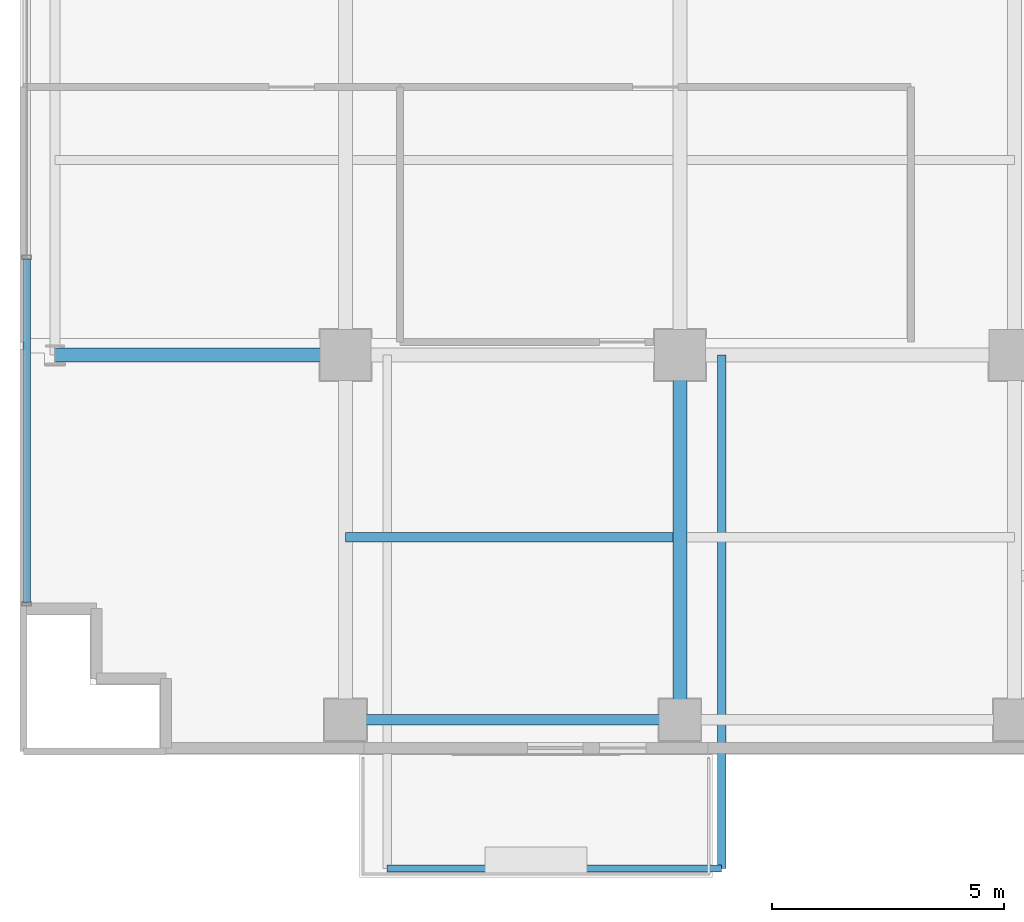
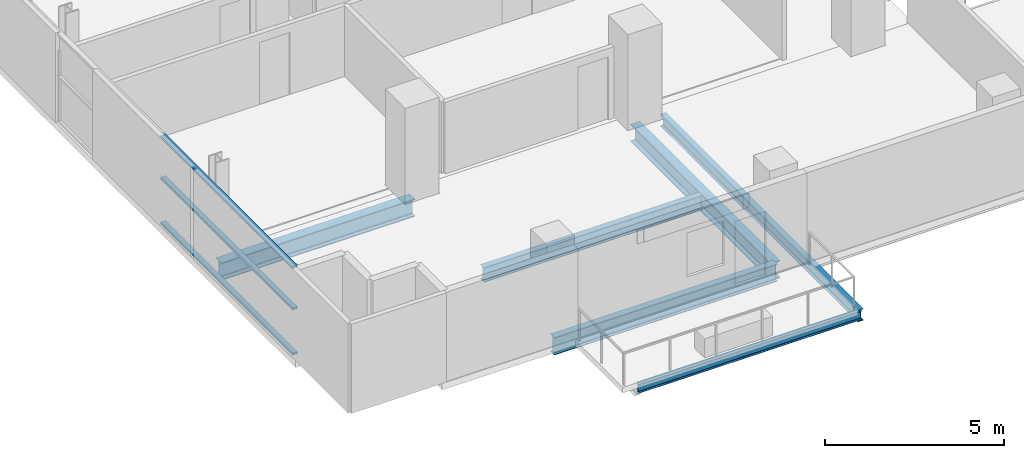
# One storey, part 3 of 27: 6 beams, 3 members, 1 element without a shape of its own.
"""IFC4 building model written with IfcOpenShell, lengths in metres."""

from ifc_helpers import new_model, si_unit, direction, frame, origin, origin_2d, place, context, subcontext, project, spatial, hollow_rectangle, i_section, extrude, source, transform, mapped, material, layer, layer_set, material_profile, profile_set, type_object, element, aggregate, save


model = new_model("IFC4")

# Units and contexts
model_context = context("Model", 3, precision=1e-05, world=origin(), true_north=direction((0.0, 1.0)))
body_context = subcontext(model_context, "Body", "Model", "MODEL_VIEW")
ifc_project = project(units=[si_unit("LENGTHUNIT", "METRE"), si_unit("AREAUNIT", "SQUARE_METRE"), si_unit("VOLUMEUNIT", "CUBIC_METRE"), si_unit("PLANEANGLEUNIT", "RADIAN"), si_unit("MASSUNIT", "GRAM", prefix="KILO")], contexts=[model_context])

# Site, building, storey
site_placement = place(None, origin())
site = spatial("IfcSite", under=ifc_project, at=site_placement, CompositionType="ELEMENT")
building_placement = place(site_placement, origin())
building = spatial("IfcBuilding", under=site, at=building_placement, Name="Zarnakvel Exchange Tower", CompositionType="ELEMENT")
storey_placement = place(building_placement, frame((0.0, 0.0, 76.89990234375)))
storey = spatial("IfcBuildingStorey", under=building, at=storey_placement, Name="L21", CompositionType="ELEMENT", Elevation=76.89990234375)

# Beams
ifc_material_1 = material(Name="Steel S355", Category="steel")
ifc_material_profile_1 = material_profile(ifc_material_1, i_section(OverallWidth=0.199951171875, OverallDepth=0.5, WebThickness=0.01025390625, FlangeThickness=0.01611328125, FilletRadius=0.02099609375, at=origin_2d()))
ifc_profile_set_1 = profile_set([ifc_material_profile_1], Name="Steel S355")
beam_type_1 = type_object("IfcBeamType", Name="B-04", PredefinedType="JOIST", material=ifc_profile_set_1)
beam_1_placement = place(storey_placement, frame((-21.60009765625, -13.52490234375, -0.474853515625), z_axis=(1.0, 0.0, 0.0), x_axis=(0.0, 1.0, 0.0)))
element("IfcBeam", 1, at=beam_1_placement, inside=storey, type_object=beam_type_1, Name="L21 Composite Floor Secondary Joist", PredefinedType="JOIST", context=body_context, shape_type="SweptSolid", body=[
    extrude(i_section(OverallWidth=0.199951171875, OverallDepth=0.5, WebThickness=0.01025390625, FlangeThickness=0.01611328125, FilletRadius=0.02099609375, at=origin_2d()), origin(), (0.0, 0.0, 1.0), 7.050048828125),
])
ifc_material_profile_2 = material_profile(ifc_material_1, i_section(OverallWidth=0.179931640625, OverallDepth=0.39990234375, WebThickness=0.008544921875, FlangeThickness=0.013427734375, FilletRadius=0.02099609375, at=origin_2d()))
ifc_profile_set_2 = profile_set([ifc_material_profile_2], Name="Steel S355")
beam_type_2 = type_object("IfcBeamType", Name="B-06", PredefinedType="JOIST", material=ifc_profile_set_2)
beam_2_placement = place(storey_placement, frame((-13.5, -9.60009765625, -0.4248046875), z_axis=(0.0, -1.0, 0.0), x_axis=(1.0, 0.0, 0.0)))
element("IfcBeam", 2, at=beam_2_placement, inside=storey, type_object=beam_type_2, Name="L21 Continuous Back-Spanned Balcony Beam E", PredefinedType="JOIST", context=body_context, shape_type="SweptSolid", body=[
    extrude(i_section(OverallWidth=0.179931640625, OverallDepth=0.39990234375, WebThickness=0.008544921875, FlangeThickness=0.013427734375, FilletRadius=0.02099609375, at=origin_2d()), origin(), (0.0, 0.0, 1.0), 11.0498046875),
])
ifc_material_profile_3 = material_profile(ifc_material_1, i_section(OverallWidth=0.14990234375, OverallDepth=0.300048828125, WebThickness=0.007080078125, FlangeThickness=0.0107421875, FilletRadius=0.014892578125, at=origin_2d()))
ifc_profile_set_3 = profile_set([ifc_material_profile_3], Name="Steel S355")
beam_type_3 = type_object("IfcBeamType", Name="B-08", PredefinedType="JOIST", material=ifc_profile_set_3)
beam_3_placement = place(storey_placement, frame((-20.699951171875, -20.64990234375, -0.375), z_axis=(1.0, 0.0, 0.0), x_axis=(0.0, 1.0, 0.0)))
element("IfcBeam", 3, at=beam_3_placement, inside=storey, type_object=beam_type_3, Name="L21 Balcony Edge Beam", PredefinedType="JOIST", context=body_context, shape_type="SweptSolid", body=[
    extrude(i_section(OverallWidth=0.14990234375, OverallDepth=0.300048828125, WebThickness=0.007080078125, FlangeThickness=0.0107421875, FilletRadius=0.014892578125, at=origin_2d()), origin(), (0.0, 0.0, 1.0), 7.199951171875),
])
ifc_material_profile_4 = material_profile(ifc_material_1, i_section(OverallWidth=0.300048828125, OverallDepth=0.60009765625, WebThickness=0.015380859375, FlangeThickness=0.030029296875, FilletRadius=0.027099609375, at=origin_2d()))
ifc_profile_set_4 = profile_set([ifc_material_profile_4], Name="Steel S355")
beam_type_4 = type_object("IfcBeamType", Name="G-04", PredefinedType="BEAM", material=ifc_profile_set_4)
beam_4_placement = place(storey_placement, frame((-27.85009765625, -9.60009765625, -0.52490234375), z_axis=(1.0, 0.0, 0.0), x_axis=(0.0, 1.0, 0.0)))
element("IfcBeam", 4, at=beam_4_placement, inside=storey, type_object=beam_type_4, Name="L21 Tower E-W Frame Beam", PredefinedType="BEAM", context=body_context, shape_type="SweptSolid", body=[
    extrude(i_section(OverallWidth=0.300048828125, OverallDepth=0.60009765625, WebThickness=0.015380859375, FlangeThickness=0.030029296875, FilletRadius=0.027099609375, at=origin_2d()), origin(), (0.0, 0.0, 1.0), 6.25),
])
beam_5_placement = place(storey_placement, frame((-14.39990234375, -17.449951171875, -0.52490234375), z_axis=(0.0, 1.0, 0.0), x_axis=(-1.0, 0.0, 0.0)))
element("IfcBeam", 5, at=beam_5_placement, inside=storey, type_object=beam_type_4, Name="L21 Tower N-S Frame Beam", PredefinedType="BEAM", context=body_context, shape_type="SweptSolid", body=[
    extrude(i_section(OverallWidth=0.300048828125, OverallDepth=0.60009765625, WebThickness=0.015380859375, FlangeThickness=0.030029296875, FilletRadius=0.027099609375, at=origin_2d()), origin(), (0.0, 0.0, 1.0), 7.849853515625),
])
ifc_material_profile_5 = material_profile(ifc_material_1, i_section(OverallWidth=0.219970703125, OverallDepth=0.60009765625, WebThickness=0.011962890625, FlangeThickness=0.01904296875, FilletRadius=0.02392578125, at=origin_2d()))
ifc_profile_set_5 = profile_set([ifc_material_profile_5], Name="Steel S355")
beam_type_5 = type_object("IfcBeamType", Name="SP-01", PredefinedType="SPANDREL", material=ifc_profile_set_5)
beam_6_placement = place(storey_placement, frame((-21.60009765625, -17.449951171875, -0.52490234375), z_axis=(1.0, 0.0, 0.0), x_axis=(0.0, 1.0, 0.0)))
element("IfcBeam", 6, at=beam_6_placement, inside=storey, type_object=beam_type_5, Name="L21 Tower E-W Frame Beam", PredefinedType="SPANDREL", context=body_context, shape_type="SweptSolid", body=[
    extrude(i_section(OverallWidth=0.219970703125, OverallDepth=0.60009765625, WebThickness=0.011962890625, FlangeThickness=0.01904296875, FilletRadius=0.02392578125, at=origin_2d()), origin(), (0.0, 0.0, 1.0), 7.2001953125),
])

# Curtain wall, members
ifc_material_2 = material(Name="Architectural Bronze Anodised Aluminium", Category="aluminium")
ifc_layer = layer(ifc_material_2, 0.199951171875)
ifc_layer_set = layer_set([ifc_layer], Name="Architectural Bronze Anodised Aluminium")
curtain_wall_type = type_object("IfcCurtainWallType", Name="CW-04", PredefinedType="NOTDEFINED", material=ifc_layer_set)
curtain_wall_placement = place(storey_placement, origin())
curtain_wall = element("IfcCurtainWall", 7, at=curtain_wall_placement, inside=storey, type_object=curtain_wall_type, Name="L21 Curtain Wall CW-L21-W1 (CW-04)", PredefinedType="NOTDEFINED")
ifc_material_profile_6 = material_profile(ifc_material_2, hollow_rectangle(XDim=0.159912109375, YDim=0.074951171875, WallThickness=0.00390625, at=origin_2d()))
ifc_profile_set_6 = profile_set([ifc_material_profile_6], Name="Architectural Bronze Anodised Aluminium")
member_type = type_object("IfcMemberType", Name="CWT-04", PredefinedType="USERDEFINED", material=ifc_profile_set_6)
shared_shape = source(origin(), body_context, "Body", "SweptSolid", [
    extrude(hollow_rectangle(XDim=0.159912109375, YDim=0.074951171875, WallThickness=0.00390625, at=origin_2d()), origin(), (0.0, 0.0, 1.0), 7.387451171875),
])
member_1_placement = place(storey_placement, frame((-28.4599609375, -14.925048828125, 0.03759765625), z_axis=(0.0, 1.0, 0.0), x_axis=(-1.0, 0.0, 0.0)))
member_1 = element("IfcMember", 8, at=member_1_placement, type_object=member_type, Name="CW-04 transom 1.1", ObjectType="TRANSOM", PredefinedType="USERDEFINED", context=body_context, shape_type="MappedRepresentation", body=[
    mapped(shared_shape, transform((0.0, 0.0, 0.0), x_axis=(1.0, 0.0, 0.0), y_axis=(0.0, 1.0, 0.0), z_axis=(0.0, 0.0, 1.0), scale=1.0)),
])
member_2_placement = place(storey_placement, frame((-28.4599609375, -14.925048828125, 1.57568359375), z_axis=(0.0, 1.0, 0.0), x_axis=(-1.0, 0.0, 0.0)))
member_2 = element("IfcMember", 9, at=member_2_placement, type_object=member_type, Name="CW-04 transom 1.2", ObjectType="TRANSOM", PredefinedType="USERDEFINED", context=body_context, shape_type="MappedRepresentation", body=[
    mapped(shared_shape, transform((0.0, 0.0, 0.0), x_axis=(1.0, 0.0, 0.0), y_axis=(0.0, 1.0, 0.0), z_axis=(0.0, 0.0, 1.0), scale=1.0)),
])
member_3_placement = place(storey_placement, frame((-28.4599609375, -14.925048828125, 2.99267578125), z_axis=(0.0, 1.0, 0.0), x_axis=(-1.0, 0.0, 0.0)))
member_3 = element("IfcMember", 10, at=member_3_placement, type_object=member_type, Name="CW-04 transom 1.3", ObjectType="TRANSOM", PredefinedType="USERDEFINED", context=body_context, shape_type="MappedRepresentation", body=[
    mapped(shared_shape, transform((0.0, 0.0, 0.0), x_axis=(1.0, 0.0, 0.0), y_axis=(0.0, 1.0, 0.0), z_axis=(0.0, 0.0, 1.0), scale=1.0)),
])
aggregate(curtain_wall, [member_1, member_2, member_3])

save(model, "model.ifc")
